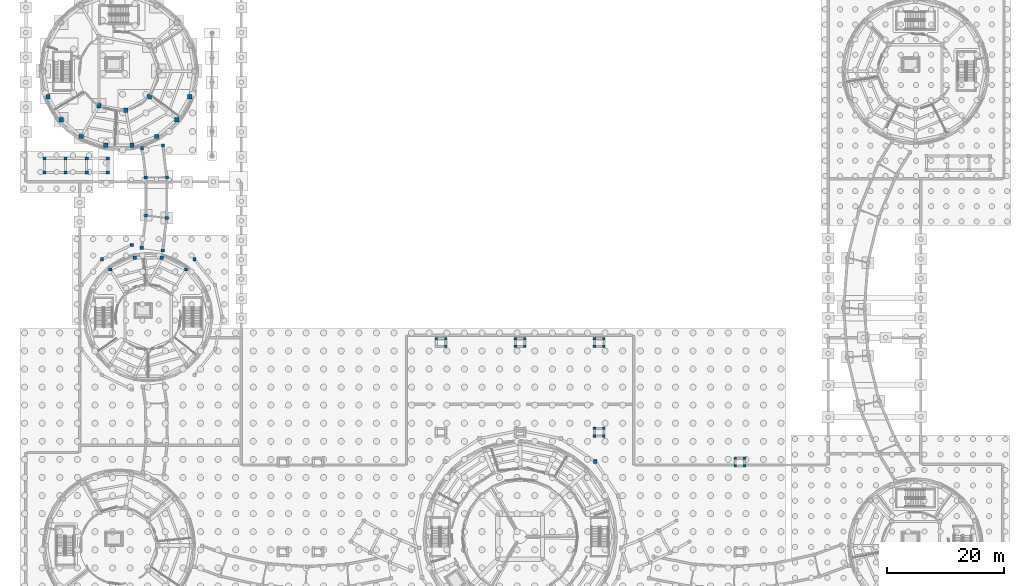
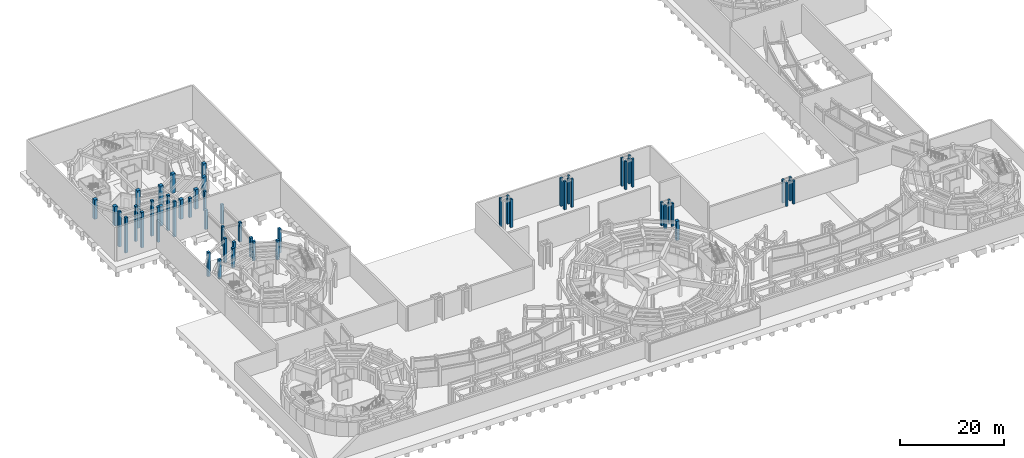
# One storey, part 10 of 57: 54 columns.
"""IFC4 building model written with IfcOpenShell, lengths in metres."""

from ifc_helpers import new_model, si_unit, direction, frame, origin, origin_2d, place, context, subcontext, project, spatial, rectangle, extrude, material, material_profile, profile_set, type_object, element, save


model = new_model("IFC4")

# Units and contexts
model_context = context("Model", 3, precision=1e-05, world=origin(), true_north=direction((0.0, 1.0)))
body_context = subcontext(model_context, "Body", "Model", "MODEL_VIEW")
ifc_project = project(units=[si_unit("LENGTHUNIT", "METRE"), si_unit("AREAUNIT", "SQUARE_METRE"), si_unit("VOLUMEUNIT", "CUBIC_METRE"), si_unit("PLANEANGLEUNIT", "RADIAN"), si_unit("MASSUNIT", "GRAM", prefix="KILO")], contexts=[model_context])

# Site, building, storey
site_placement = place(None, origin())
site = spatial("IfcSite", under=ifc_project, at=site_placement, CompositionType="ELEMENT")
building_placement = place(site_placement, origin())
building = spatial("IfcBuilding", under=site, at=building_placement, Name="Aldenvaro Health Centre", CompositionType="ELEMENT")
storey_placement = place(building_placement, frame((0.0, 0.0, -4.550048828125)))
storey = spatial("IfcBuildingStorey", under=building, at=storey_placement, Name="B1", CompositionType="ELEMENT", Elevation=-4.550048828125)

# Columns
ifc_material = material(Name="Concrete f'c 40 MPa", Category="concrete")
ifc_material_profile_1 = material_profile(ifc_material, rectangle(XDim=0.449951171875, YDim=0.449951171875, at=origin_2d()), Name="RC 450x450", Category="concrete")
ifc_profile_set_1 = profile_set([ifc_material_profile_1], Name="Concrete f'c 40 MPa")
column_type_1 = type_object("IfcColumnType", Name="COL-RC-450", PredefinedType="COLUMN", material=ifc_profile_set_1)
for number, where, z_axis, x_axis, name in (
    (1, (123.699951171875, 32.10009765625, 0.0), (0.0, 0.0, 1.0), (1.0, 0.0, 0.0), "Ramp 3 Landing Pier 1"),
    (2, (125.300048828125, 32.10009765625, 0.0), (0.0, 0.0, 1.0), (1.0, 0.0, 0.0), "Ramp 3 Landing Pier 2"),
    (3, (125.300048828125, 33.39990234375, 0.0), (0.0, 0.0, 1.0), (1.0, 0.0, 0.0), "Ramp 3 Landing Pier 3"),
    (4, (123.699951171875, 33.39990234375, 0.0), (0.0, 0.0, 1.0), (1.0, 0.0, 0.0), "Ramp 3 Landing Pier 4"),
):
    element("IfcColumn", number, at=place(storey_placement, frame(where, z_axis=z_axis, x_axis=x_axis)), inside=storey, type_object=column_type_1, Name=name, PredefinedType="COLUMN", context=body_context, shape_type="SweptSolid", body=[
        extrude(rectangle(XDim=0.449951171875, YDim=0.449951171875, at=origin_2d()), origin(), (0.0, 0.0, 1.0), 5.47998046875),
    ])
for number, where, z_axis, x_axis, name in (
    (5, (74.300048828125, 52.5, 0.0), (0.0, 0.0, 1.0), (1.0, 0.0, 0.0), "Ramp 4 Landing Pier 2"),
    (6, (74.300048828125, 53.800048828125, 0.0), (0.0, 0.0, 1.0), (1.0, 0.0, 0.0), "Ramp 4 Landing Pier 3"),
    (7, (72.699951171875, 53.800048828125, 0.0), (0.0, 0.0, 1.0), (1.0, 0.0, 0.0), "Ramp 4 Landing Pier 4"),
    (8, (99.699951171875, 52.5, 0.0), (0.0, 0.0, 1.0), (1.0, 0.0, 0.0), "Ramp 5 Landing Pier 1"),
    (9, (101.300048828125, 52.5, 0.0), (0.0, 0.0, 1.0), (1.0, 0.0, 0.0), "Ramp 5 Landing Pier 2"),
    (10, (101.300048828125, 53.800048828125, 0.0), (0.0, 0.0, 1.0), (1.0, 0.0, 0.0), "Ramp 5 Landing Pier 3"),
    (11, (99.699951171875, 53.800048828125, 0.0), (0.0, 0.0, 1.0), (1.0, 0.0, 0.0), "Ramp 5 Landing Pier 4"),
):
    element("IfcColumn", number, at=place(storey_placement, frame(where, z_axis=z_axis, x_axis=x_axis)), inside=storey, type_object=column_type_1, Name=name, PredefinedType="COLUMN", context=body_context, shape_type="SweptSolid", body=[
        extrude(rectangle(XDim=0.449951171875, YDim=0.449951171875, at=origin_2d()), origin(), (0.0, 0.0, 1.0), 6.630126953125),
    ])
for number, where, z_axis, x_axis, name in (
    (12, (99.699951171875, 37.199951171875, 0.0), (0.0, 0.0, 1.0), (1.0, 0.0, 0.0), "Ramp 5 Departure Pier 1"),
    (13, (101.300048828125, 37.199951171875, 0.0), (0.0, 0.0, 1.0), (1.0, 0.0, 0.0), "Ramp 5 Departure Pier 2"),
    (14, (101.300048828125, 38.5, 0.0), (0.0, 0.0, 1.0), (1.0, 0.0, 0.0), "Ramp 5 Departure Pier 3"),
    (15, (99.699951171875, 38.5, 0.0), (0.0, 0.0, 1.0), (1.0, 0.0, 0.0), "Ramp 5 Departure Pier 4"),
):
    element("IfcColumn", number, at=place(storey_placement, frame(where, z_axis=z_axis, x_axis=x_axis)), inside=storey, type_object=column_type_1, Name=name, PredefinedType="COLUMN", context=body_context, shape_type="SweptSolid", body=[
        extrude(rectangle(XDim=0.449951171875, YDim=0.449951171875, at=origin_2d()), origin(), (0.0, 0.0, 1.0), 5.47998046875),
    ])
for number, where, z_axis, x_axis, name in (
    (16, (86.199951171875, 52.5, 0.0), (0.0, 0.0, 1.0), (1.0, 0.0, 0.0), "Ramp 6 Landing Pier 1"),
    (17, (87.800048828125, 52.5, 0.0), (0.0, 0.0, 1.0), (1.0, 0.0, 0.0), "Ramp 6 Landing Pier 2"),
    (18, (87.800048828125, 53.800048828125, 0.0), (0.0, 0.0, 1.0), (1.0, 0.0, 0.0), "Ramp 6 Landing Pier 3"),
    (19, (86.199951171875, 53.800048828125, 0.0), (0.0, 0.0, 1.0), (1.0, 0.0, 0.0), "Ramp 6 Landing Pier 4"),
):
    element("IfcColumn", number, at=place(storey_placement, frame(where, z_axis=z_axis, x_axis=x_axis)), inside=storey, type_object=column_type_1, Name=name, PredefinedType="COLUMN", context=body_context, shape_type="SweptSolid", body=[
        extrude(rectangle(XDim=0.449951171875, YDim=0.449951171875, at=origin_2d()), origin(), (0.0, 0.0, 1.0), 6.630126953125),
    ])
ifc_material_profile_2 = material_profile(ifc_material, rectangle(XDim=0.550048828125, YDim=0.550048828125, at=origin_2d()), Name="RC 550x550", Category="concrete")
ifc_profile_set_2 = profile_set([ifc_material_profile_2], Name="Concrete f'c 40 MPa")
column_type_2 = type_object("IfcColumnType", Name="COL-RC-550", PredefinedType="COLUMN", material=ifc_profile_set_2)
for number, where, z_axis, x_axis, name in (
    (20, (29.971923828125, 65.614990234375, 0.0), (0.0, 0.0, 1.0), (1.0, 0.0, 0.0), "D3 B1 column OUT-03"),
    (21, (25.81005859375, 67.6201171875, 0.0), (0.0, 0.0, 1.0), (1.0, 0.0, 0.0), "D3 B1 column OUT-04"),
    (22, (21.18994140625, 67.6201171875, 0.0), (0.0, 0.0, 1.0), (1.0, 0.0, 0.0), "D3 B1 column OUT-05"),
    (23, (17.028076171875, 65.614990234375, 0.0), (0.0, 0.0, 1.0), (1.0, 0.0, 0.0), "D3 B1 column OUT-06"),
    (24, (22.39599609375, 69.346923828125, 0.0), (0.0, 0.0, 1.0), (1.0, 0.0, 0.0), "West North Curved Garden Walkway Arc 1 B1 column 1.1"),
    (25, (25.966064453125, 68.886962890625, 0.0), (0.0, 0.0, 1.0), (1.0, 0.0, 0.0), "West North Curved Garden Walkway Arc 1 B1 column 1.2"),
    (26, (23.10791015625, 74.873046875, 0.0), (0.0, 0.0, 1.0), (1.0, 0.0, 0.0), "West North Curved Garden Walkway Arc 1 B1 column 2.1"),
    (27, (26.677978515625, 74.4130859375, 0.0), (0.0, 0.0, 1.0), (1.0, 0.0, 0.0), "West North Curved Garden Walkway Arc 1 B1 column 2.2"),
    (28, (23.093017578125, 81.35693359375, 0.0), (0.0, 0.0, 1.0), (1.0, 0.0, 0.0), "West North Curved Garden Walkway Arc 2 B1 column 2.1"),
    (29, (26.693115234375, 81.35693359375, 0.0), (0.0, 0.0, 1.0), (1.0, 0.0, 0.0), "West North Curved Garden Walkway Arc 2 B1 column 2.2"),
    (30, (22.43603515625, 86.342041015625, 0.0), (0.0, 0.0, 1.0), (1.0, 0.0, 0.0), "West North Curved Garden Walkway Arc 3 B1 column 2.1"),
    (31, (26.006103515625, 86.802001953125, 0.0), (0.0, 0.0, 1.0), (1.0, 0.0, 0.0), "West North Curved Garden Walkway Arc 3 B1 column 2.2"),
):
    element("IfcColumn", number, at=place(storey_placement, frame(where, z_axis=z_axis, x_axis=x_axis)), inside=storey, type_object=column_type_2, Name=name, PredefinedType="COLUMN", context=body_context, shape_type="SweptSolid", body=[
        extrude(rectangle(XDim=0.550048828125, YDim=0.550048828125, at=origin_2d()), origin(), (0.0, 0.0, 1.0), 4.550048828125),
    ])
for number, where, z_axis, x_axis, name in (
    (32, (5.800048828125, 82.199951171875, 0.0), (0.0, 0.0, 1.0), (1.0, 0.0, 0.0), "Bastion Portico N4 Substructure Pier 1.1"),
    (33, (5.800048828125, 84.60009765625, 0.0), (0.0, 0.0, 1.0), (1.0, 0.0, 0.0), "Bastion Portico N4 Substructure Pier 1.2"),
    (34, (9.39990234375, 82.199951171875, 0.0), (0.0, 0.0, 1.0), (1.0, 0.0, 0.0), "Bastion Portico N4 Substructure Pier 2.1"),
    (35, (9.39990234375, 84.60009765625, 0.0), (0.0, 0.0, 1.0), (1.0, 0.0, 0.0), "Bastion Portico N4 Substructure Pier 2.2"),
    (36, (13.0, 82.199951171875, 0.0), (0.0, 0.0, 1.0), (1.0, 0.0, 0.0), "Bastion Portico N4 Substructure Pier 3.1"),
    (37, (13.0, 84.60009765625, 0.0), (0.0, 0.0, 1.0), (1.0, 0.0, 0.0), "Bastion Portico N4 Substructure Pier 3.2"),
    (38, (16.60009765625, 82.199951171875, 0.0), (0.0, 0.0, 1.0), (1.0, 0.0, 0.0), "Bastion Portico N4 Substructure Pier 4.1"),
    (39, (16.60009765625, 84.60009765625, 0.0), (0.0, 0.0, 1.0), (1.0, 0.0, 0.0), "Bastion Portico N4 Substructure Pier 4.2"),
):
    element("IfcColumn", number, at=place(storey_placement, frame(where, z_axis=z_axis, x_axis=x_axis)), inside=storey, type_object=column_type_2, Name=name, PredefinedType="COLUMN", context=body_context, shape_type="SweptSolid", body=[
        extrude(rectangle(XDim=0.550048828125, YDim=0.550048828125, at=origin_2d()), origin(), (0.0, 0.0, 1.0), 8.300048828125),
    ])
for number, where, z_axis, x_axis, name in (
    (40, (31.386962890625, 67.389892578125, 0.0), (0.0, 0.0, 1.0), (1.0, 0.0, 0.0), "Garden Pavilion Peristyle Substructure Pier 03"),
    (41, (20.68505859375, 69.8330078125, 0.0), (0.0, 0.0, 1.0), (1.0, 0.0, 0.0), "Garden Pavilion Peristyle Substructure Pier 05"),
    (42, (15.613037109375, 67.389892578125, 0.0), (0.0, 0.0, 1.0), (1.0, 0.0, 0.0), "Garden Pavilion Peristyle Substructure Pier 06"),
):
    element("IfcColumn", number, at=place(storey_placement, frame(where, z_axis=z_axis, x_axis=x_axis)), inside=storey, type_object=column_type_2, Name=name, PredefinedType="COLUMN", context=body_context, shape_type="SweptSolid", body=[
        extrude(rectangle(XDim=0.550048828125, YDim=0.550048828125, at=origin_2d()), origin(), (0.0, 0.0, 1.0), 5.699951171875),
    ])
ifc_material_profile_3 = material_profile(ifc_material, rectangle(XDim=0.64990234375, YDim=0.64990234375, at=origin_2d()), Name="RC 650x650", Category="concrete")
ifc_profile_set_3 = profile_set([ifc_material_profile_3], Name="Concrete f'c 40 MPa")
column_type_3 = type_object("IfcColumnType", Name="COL-RC-650", PredefinedType="COLUMN", material=ifc_profile_set_3)
column_placement = place(storey_placement, frame((99.833984375, 32.833984375, 0.0), z_axis=(0.0, 0.0, 1.0), x_axis=(1.0, 0.0, 0.0)))
element("IfcColumn", 43, at=column_placement, inside=storey, type_object=column_type_3, Name="Waiting Rotunda Peristyle Substructure Pier 03", PredefinedType="COLUMN", context=body_context, shape_type="SweptSolid", body=[
    extrude(rectangle(XDim=0.64990234375, YDim=0.64990234375, at=origin_2d()), origin(), (0.0, 0.0, 1.0), 4.550048828125),
])
ifc_material_profile_4 = material_profile(ifc_material, rectangle(XDim=0.75, YDim=0.75, at=origin_2d()), Name="RC 750x750", Category="concrete")
ifc_profile_set_4 = profile_set([ifc_material_profile_4], Name="Concrete f'c 40 MPa")
column_type_4 = type_object("IfcColumnType", Name="COL-RC-750", PredefinedType="COLUMN", material=ifc_profile_set_4)
for number, where, z_axis, x_axis, name in (
    (44, (6.39697265625, 95.094970703125, 0.0), (0.0, 0.0, 1.0), (1.0, 0.0, 0.0), "D4 B1 column OUT-11"),
    (45, (8.633056640625, 91.220947265625, 0.0), (0.0, 0.0, 1.0), (1.0, 0.0, 0.0), "D4 B1 column OUT-12"),
    (46, (12.06005859375, 88.345947265625, 0.0), (0.0, 0.0, 1.0), (1.0, 0.0, 0.0), "D4 B1 column OUT-13"),
    (47, (16.262939453125, 86.81591796875, 0.0), (0.0, 0.0, 1.0), (1.0, 0.0, 0.0), "D4 B1 column OUT-14"),
    (48, (20.737060546875, 86.81591796875, 0.0), (0.0, 0.0, 1.0), (1.0, 0.0, 0.0), "D4 B1 column OUT-15"),
    (49, (24.93994140625, 88.345947265625, 0.0), (0.0, 0.0, 1.0), (1.0, 0.0, 0.0), "D4 B1 column OUT-16"),
    (50, (28.366943359375, 91.220947265625, 0.0), (0.0, 0.0, 1.0), (1.0, 0.0, 0.0), "D4 B1 column OUT-17"),
    (51, (30.60302734375, 95.094970703125, 0.0), (0.0, 0.0, 1.0), (1.0, 0.0, 0.0), "D4 B1 column OUT-18"),
    (52, (15.10009765625, 93.611083984375, 0.0), (0.0, 0.0, 1.0), (1.0, 0.0, 0.0), "D4 B1 column IN-04"),
    (53, (19.680908203125, 92.802978515625, 0.0), (0.0, 0.0, 1.0), (1.0, 0.0, 0.0), "D4 B1 column IN-05"),
    (54, (23.708984375, 95.12890625, 0.0), (0.0, 0.0, 1.0), (1.0, 0.0, 0.0), "D4 B1 column IN-06"),
):
    element("IfcColumn", number, at=place(storey_placement, frame(where, z_axis=z_axis, x_axis=x_axis)), inside=storey, type_object=column_type_4, Name=name, PredefinedType="COLUMN", context=body_context, shape_type="SweptSolid", body=[
        extrude(rectangle(XDim=0.75, YDim=0.75, at=origin_2d()), origin(), (0.0, 0.0, 1.0), 4.550048828125),
    ])

save(model, "model.ifc")
